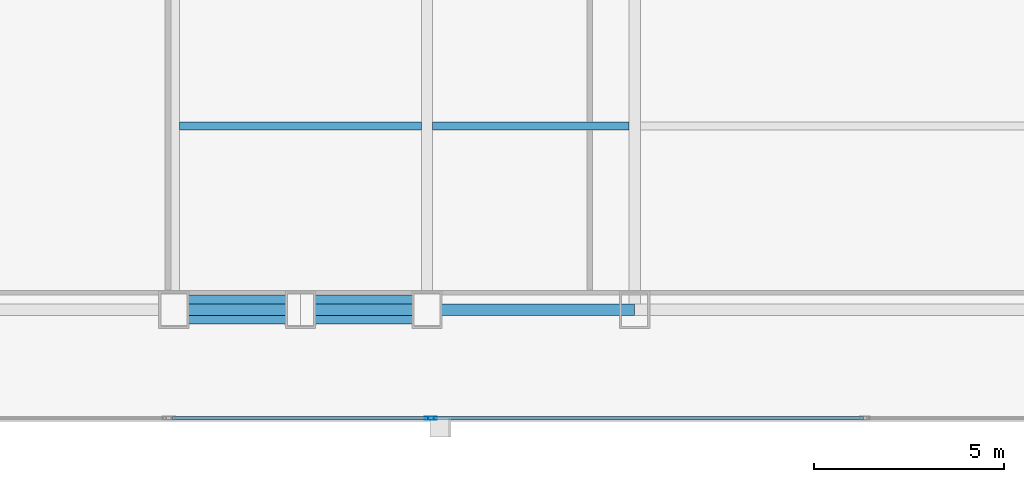
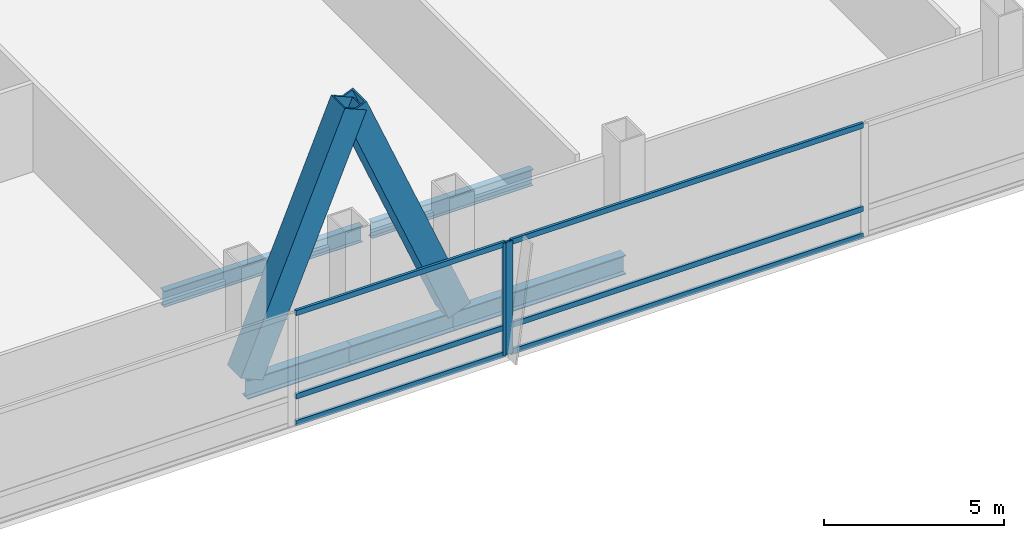
# One storey, part 8 of 33: 10 members, 5 beams, 2 elements without a shape of their own.
"""IFC4 building model written with IfcOpenShell, lengths in metres."""

from ifc_helpers import new_model, si_unit, direction, frame, origin, origin_2d, place, context, subcontext, project, spatial, hollow_rectangle, i_section, extrude, material, material_profile, profile_set, type_object, element, aggregate, save


model = new_model("IFC4")

# Units and contexts
model_context = context("Model", 3, precision=1e-05, world=origin(), true_north=direction((0.0, 1.0)))
body_context = subcontext(model_context, "Body", "Model", "MODEL_VIEW")
ifc_project = project(units=[si_unit("LENGTHUNIT", "METRE"), si_unit("AREAUNIT", "SQUARE_METRE"), si_unit("VOLUMEUNIT", "CUBIC_METRE"), si_unit("PLANEANGLEUNIT", "RADIAN"), si_unit("MASSUNIT", "GRAM", prefix="KILO")], contexts=[model_context])

# Site, building, storey
site_placement = place(None, origin())
site = spatial("IfcSite", under=ifc_project, at=site_placement, CompositionType="ELEMENT")
building_placement = place(site_placement, origin())
building = spatial("IfcBuilding", under=site, at=building_placement, Name="Khoronbel Lancet Exchange", CompositionType="ELEMENT")
storey_placement = place(building_placement, frame((0.0, 0.0, 73.800048828125)))
storey = spatial("IfcBuildingStorey", under=building, at=storey_placement, Name="L17", CompositionType="ELEMENT", Elevation=73.800048828125)

# Beams
ifc_material_1 = material(Name="Steel S355", Category="steel")
ifc_material_profile_1 = material_profile(ifc_material_1, i_section(OverallWidth=0.2099609375, OverallDepth=0.550048828125, WebThickness=0.010986328125, FlangeThickness=0.01708984375, at=origin_2d()), Name="IPE 550")
ifc_profile_set_1 = profile_set([ifc_material_profile_1], Name="Steel S355")
beam_type_1 = type_object("IfcBeamType", Name="BM-BJ2", PredefinedType="JOIST", material=ifc_profile_set_1)
beam_1_placement = place(storey_placement, frame((18.375, 15.0, -0.455078125), z_axis=(1.0, 0.0, 0.0), x_axis=(0.0, 1.0, 0.0)))
element("IfcBeam", 1, at=beam_1_placement, inside=storey, type_object=beam_type_1, Name="Level L17 secondary composite joist J01", PredefinedType="JOIST", context=body_context, shape_type="SweptSolid", body=[
    extrude(i_section(OverallWidth=0.2099609375, OverallDepth=0.550048828125, WebThickness=0.010986328125, FlangeThickness=0.01708984375, at=origin_2d()), origin(), (0.0, 0.0, 1.0), 6.375),
])
beam_2_placement = place(storey_placement, frame((25.050048828125, 15.0, -0.455078125), z_axis=(1.0, 0.0, 0.0), x_axis=(0.0, 1.0, 0.0)))
element("IfcBeam", 2, at=beam_2_placement, inside=storey, type_object=beam_type_1, Name="Level L17 secondary composite joist J02", PredefinedType="JOIST", context=body_context, shape_type="SweptSolid", body=[
    extrude(i_section(OverallWidth=0.2099609375, OverallDepth=0.550048828125, WebThickness=0.010986328125, FlangeThickness=0.01708984375, at=origin_2d()), origin(), (0.0, 0.0, 1.0), 5.175048828125),
])
ifc_material_profile_2 = material_profile(ifc_material_1, i_section(OverallWidth=0.300048828125, OverallDepth=0.64990234375, WebThickness=0.01611328125, FlangeThickness=0.031005859375, at=origin_2d()), Name="HEB 650")
ifc_profile_set_2 = profile_set([ifc_material_profile_2], Name="Steel S355")
beam_type_2 = type_object("IfcBeamType", Name="BM-BSP1", PredefinedType="SPANDREL", material=ifc_profile_set_2)
for number, where, z_axis, x_axis, name in (
    (3, (18.22509765625, 10.14990234375, -0.505126953125), (1.0, 0.0, 0.0), (0.0, 1.0, 0.0), "Level L17 perimeter spandrel beam SP02"),
    (4, (21.5625, 10.14990234375, -0.505126953125), (1.0, 0.0, 0.0), (0.0, 1.0, 0.0), "Level L17 perimeter spandrel beam SP03"),
):
    element("IfcBeam", number, at=place(storey_placement, frame(where, z_axis=z_axis, x_axis=x_axis)), inside=storey, type_object=beam_type_2, Name=name, PredefinedType="SPANDREL", context=body_context, shape_type="SweptSolid", body=[
        extrude(i_section(OverallWidth=0.300048828125, OverallDepth=0.64990234375, WebThickness=0.01611328125, FlangeThickness=0.031005859375, at=origin_2d()), origin(), (0.0, 0.0, 1.0), 3.33740234375),
    ])
beam_3_placement = place(storey_placement, frame((24.89990234375, 10.14990234375, -0.505126953125), z_axis=(1.0, 0.0, 0.0), x_axis=(0.0, 1.0, 0.0)))
element("IfcBeam", 5, at=beam_3_placement, inside=storey, type_object=beam_type_2, Name="Level L17 perimeter spandrel beam SP04", PredefinedType="SPANDREL", context=body_context, shape_type="SweptSolid", body=[
    extrude(i_section(OverallWidth=0.300048828125, OverallDepth=0.64990234375, WebThickness=0.01611328125, FlangeThickness=0.031005859375, at=origin_2d()), origin(), (0.0, 0.0, 1.0), 5.47509765625),
])

# Curtain wall, member
ifc_material_2 = material(Name="Low-E Solar Control Insulating Glass", Category="glass")
curtain_wall_type = type_object("IfcCurtainWallType", Name="CW-1", PredefinedType="NOTDEFINED", material=ifc_material_2)
curtain_wall_1_placement = place(storey_placement, origin())
curtain_wall_1 = element("IfcCurtainWall", 6, at=curtain_wall_1_placement, inside=storey, type_object=curtain_wall_type, Name="Unitised curtain wall CW-L17-SWB", PredefinedType="NOTDEFINED")
ifc_material_3 = material(Name="Bronze-Anodised Aluminium 6063-T6", Category="aluminium")
ifc_material_profile_3 = material_profile(ifc_material_3, hollow_rectangle(XDim=0.0849609375, YDim=0.239990234375, WallThickness=0.006103515625, at=origin_2d()), Name="ALU MULLION 85x240")
ifc_profile_set_3 = profile_set([ifc_material_profile_3], Name="Bronze-Anodised Aluminium 6063-T6")
member_type_1 = type_object("IfcMemberType", Name="MEM-CWM1", PredefinedType="MULLION", material=ifc_profile_set_3)
member_1_placement = place(storey_placement, frame((24.95751953125, 7.2900390625, 0.0), z_axis=(0.0, 0.0, 1.0), x_axis=(0.0, 1.0, 0.0)))
member_1 = element("IfcMember", 7, at=member_1_placement, type_object=member_type_1, Name="CW1 mullion 2", PredefinedType="MULLION", context=body_context, shape_type="SweptSolid", body=[
    extrude(hollow_rectangle(XDim=0.0849609375, YDim=0.239990234375, WallThickness=0.006103515625, at=origin_2d()), origin(), (0.0, 0.0, 1.0), 3.820068359375),
])

curtain_wall_2_placement = place(storey_placement, origin())
curtain_wall_2 = element("IfcCurtainWall", 8, at=curtain_wall_2_placement, inside=storey, type_object=curtain_wall_type, Name="Unitised curtain wall CW-L17-SCV", PredefinedType="NOTDEFINED")
member_2_placement = place(storey_placement, frame((25.04248046875, 7.2900390625, 0.0), z_axis=(0.0, 0.0, 1.0), x_axis=(0.0, 1.0, 0.0)))
member_2 = element("IfcMember", 9, at=member_2_placement, type_object=member_type_1, Name="CW1 mullion 1", PredefinedType="MULLION", context=body_context, shape_type="SweptSolid", body=[
    extrude(hollow_rectangle(XDim=0.0849609375, YDim=0.239990234375, WallThickness=0.006103515625, at=origin_2d()), origin(), (0.0, 0.0, 1.0), 3.820068359375),
])

# Member
ifc_material_profile_4 = material_profile(ifc_material_3, hollow_rectangle(XDim=0.0849609375, YDim=0.179931640625, WallThickness=0.0048828125, at=origin_2d()), Name="ALU TRANSOM 85x180")
ifc_profile_set_4 = profile_set([ifc_material_profile_4], Name="Bronze-Anodised Aluminium 6063-T6")
member_type_2 = type_object("IfcMemberType", Name="MEM-CWT1", PredefinedType="USERDEFINED", material=ifc_profile_set_4)
member_3_placement = place(storey_placement, frame((18.18505859375, 7.2900390625, 0.04248046875), z_axis=(1.0, 0.0, 0.0), x_axis=(0.0, 1.0, 0.0)))
member_3 = element("IfcMember", 10, at=member_3_placement, type_object=member_type_2, Name="CW1 transom 1.1", ObjectType="TRANSOM", PredefinedType="USERDEFINED", context=body_context, shape_type="SweptSolid", body=[
    extrude(hollow_rectangle(XDim=0.0849609375, YDim=0.179931640625, WallThickness=0.0048828125, at=origin_2d()), origin(), (0.0, 0.0, 1.0), 6.72998046875),
])

member_4_placement = place(storey_placement, frame((18.18505859375, 7.2900390625, 0.949951171875), z_axis=(1.0, 0.0, 0.0), x_axis=(0.0, 1.0, 0.0)))
member_4 = element("IfcMember", 11, at=member_4_placement, type_object=member_type_2, Name="CW1 transom 1.2", ObjectType="TRANSOM", PredefinedType="USERDEFINED", context=body_context, shape_type="SweptSolid", body=[
    extrude(hollow_rectangle(XDim=0.0849609375, YDim=0.179931640625, WallThickness=0.0048828125, at=origin_2d()), origin(), (0.0, 0.0, 1.0), 6.72998046875),
])

member_5_placement = place(storey_placement, frame((18.18505859375, 7.2900390625, 3.77734375), z_axis=(1.0, 0.0, 0.0), x_axis=(0.0, 1.0, 0.0)))
member_5 = element("IfcMember", 12, at=member_5_placement, type_object=member_type_2, Name="CW1 transom 1.3", ObjectType="TRANSOM", PredefinedType="USERDEFINED", context=body_context, shape_type="SweptSolid", body=[
    extrude(hollow_rectangle(XDim=0.0849609375, YDim=0.179931640625, WallThickness=0.0048828125, at=origin_2d()), origin(), (0.0, 0.0, 1.0), 6.72998046875),
])

aggregate(curtain_wall_1, [member_1, member_3, member_4, member_5])

member_6_placement = place(storey_placement, frame((25.0849609375, 7.2900390625, 0.04248046875), z_axis=(1.0, 0.0, 0.0), x_axis=(0.0, 1.0, 0.0)))
member_6 = element("IfcMember", 13, at=member_6_placement, type_object=member_type_2, Name="CW1 transom 1.1", ObjectType="TRANSOM", PredefinedType="USERDEFINED", context=body_context, shape_type="SweptSolid", body=[
    extrude(hollow_rectangle(XDim=0.0849609375, YDim=0.179931640625, WallThickness=0.0048828125, at=origin_2d()), origin(), (0.0, 0.0, 1.0), 11.322509765625),
])

member_7_placement = place(storey_placement, frame((25.0849609375, 7.2900390625, 0.949951171875), z_axis=(1.0, 0.0, 0.0), x_axis=(0.0, 1.0, 0.0)))
member_7 = element("IfcMember", 14, at=member_7_placement, type_object=member_type_2, Name="CW1 transom 1.2", ObjectType="TRANSOM", PredefinedType="USERDEFINED", context=body_context, shape_type="SweptSolid", body=[
    extrude(hollow_rectangle(XDim=0.0849609375, YDim=0.179931640625, WallThickness=0.0048828125, at=origin_2d()), origin(), (0.0, 0.0, 1.0), 11.322509765625),
])

member_8_placement = place(storey_placement, frame((25.0849609375, 7.2900390625, 3.77734375), z_axis=(1.0, 0.0, 0.0), x_axis=(0.0, 1.0, 0.0)))
member_8 = element("IfcMember", 15, at=member_8_placement, type_object=member_type_2, Name="CW1 transom 1.3", ObjectType="TRANSOM", PredefinedType="USERDEFINED", context=body_context, shape_type="SweptSolid", body=[
    extrude(hollow_rectangle(XDim=0.0849609375, YDim=0.179931640625, WallThickness=0.0048828125, at=origin_2d()), origin(), (0.0, 0.0, 1.0), 11.322509765625),
])

aggregate(curtain_wall_2, [member_2, member_6, member_7, member_8])

# Members
ifc_material_4 = material(Name="Steel S460", Category="steel")
ifc_material_profile_5 = material_profile(ifc_material_4, hollow_rectangle(XDim=0.760009765625, YDim=0.760009765625, WallThickness=0.054931640625, at=origin_2d()), Name="BOX 760x760x55")
ifc_profile_set_5 = profile_set([ifc_material_profile_5], Name="Steel S460")
member_type_3 = type_object("IfcMemberType", Name="MEM-MB1", PredefinedType="BRACE", material=ifc_profile_set_5)
for number, where, z_axis, x_axis, name in (
    (16, (18.22509765625, 10.14990234375, 0.0), (0.385015324606, 0.0, 0.922910179713), (0.0, 1.0, 0.0), "Perimeter lancet brace tier 5 S-W-L"),
    (17, (24.89990234375, 10.14990234375, 0.0), (-0.385015324606, 0.0, 0.922910179713), (0.0, -1.0, 0.0), "Perimeter lancet brace tier 5 S-W-R"),
):
    element("IfcMember", number, at=place(storey_placement, frame(where, z_axis=z_axis, x_axis=x_axis)), inside=storey, type_object=member_type_3, Name=name, PredefinedType="BRACE", context=body_context, shape_type="SweptSolid", body=[
        extrude(hollow_rectangle(XDim=0.760009765625, YDim=0.760009765625, WallThickness=0.054931640625, at=origin_2d()), origin(), (0.0, 0.0, 1.0), 8.668212890625),
    ])

save(model, "model.ifc")
